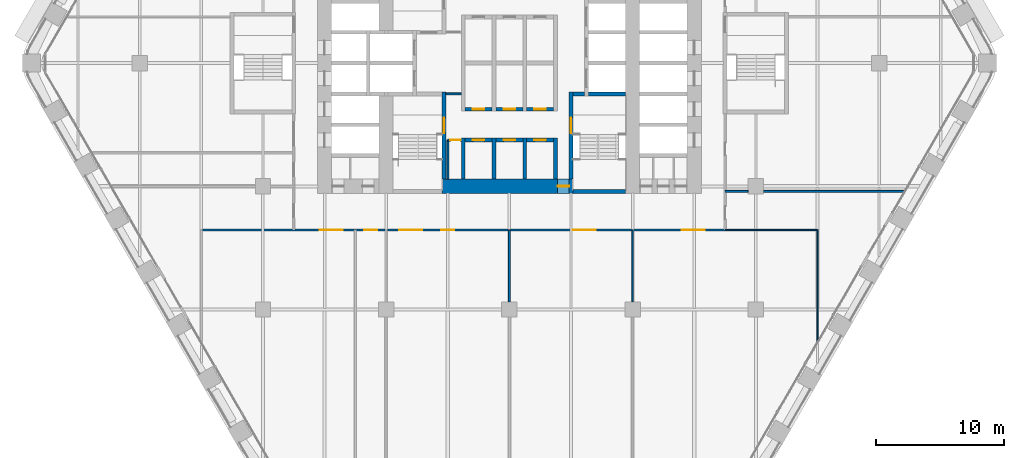
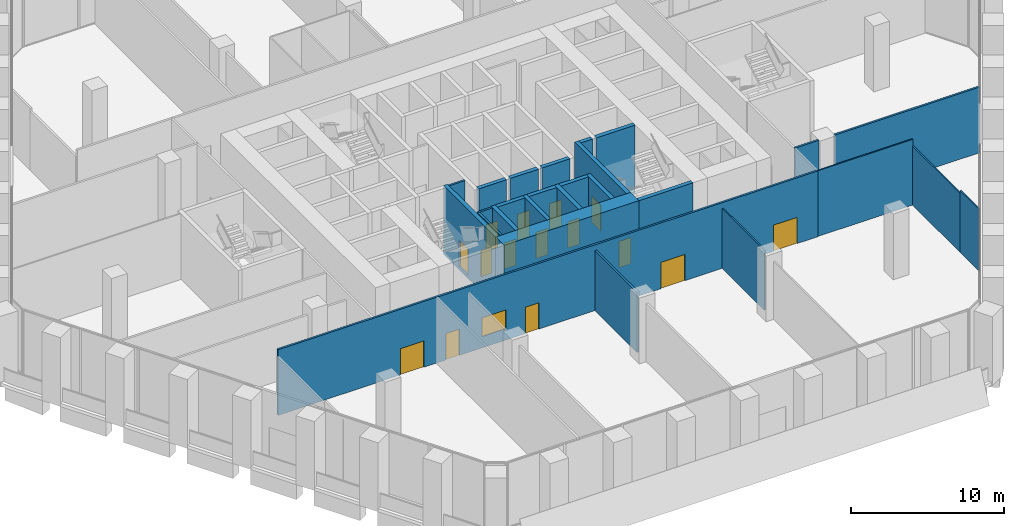
# One storey, part 18 of 27: 27 walls, 15 doors, 1 window, 16 openings.
"""IFC4 building model written with IfcOpenShell, lengths in metres."""

from ifc_helpers import new_model, si_unit, direction, frame, frame_2d, origin, place, context, subcontext, project, spatial, rectangle, extrude, material, layer, layer_set, type_object, element, fill, save


model = new_model("IFC4")

# Units and contexts
model_context = context("Model", 3, precision=1e-05, world=origin(), true_north=direction((0.0, 1.0)))
body_context = subcontext(model_context, "Body", "Model", "MODEL_VIEW")
ifc_project = project(units=[si_unit("LENGTHUNIT", "METRE"), si_unit("AREAUNIT", "SQUARE_METRE"), si_unit("VOLUMEUNIT", "CUBIC_METRE"), si_unit("PLANEANGLEUNIT", "RADIAN"), si_unit("MASSUNIT", "GRAM", prefix="KILO")], contexts=[model_context])

# Site, building, storey
site_placement = place(None, origin())
site = spatial("IfcSite", under=ifc_project, at=site_placement, CompositionType="ELEMENT")
building_placement = place(site_placement, origin())
building = spatial("IfcBuilding", under=site, at=building_placement, Name="Kolab Exchange Tower", CompositionType="ELEMENT")
storey_placement = place(building_placement, frame((0.0, 0.0, 49.89990234375)))
storey = spatial("IfcBuildingStorey", under=building, at=storey_placement, Name="L09", CompositionType="ELEMENT", Elevation=49.89990234375)

# Wall, opening, door
ifc_material_1 = material(Name="Concrete C80/95", Category="concrete")
ifc_layer_1 = layer(ifc_material_1, 1.10009765625)
ifc_layer_set_1 = layer_set([ifc_layer_1], Name="Concrete C80/95")
wall_type_1 = type_object("IfcWallType", Name="CORE WALL 1100 C80/95", PredefinedType="SHEAR", material=ifc_layer_set_1)
wall_1_placement = place(storey_placement, frame((-5.25, -9.60009765625, -0.25), z_axis=(0.0, 0.0, 1.0), x_axis=(1.0, 0.0, 0.0)))
wall_1 = element("IfcWall", 1, at=wall_1_placement, inside=storey, type_object=wall_type_1, Name="wall/L09/core/003", PredefinedType="SHEAR", context=body_context, shape_type="SweptSolid", body=[
    extrude(rectangle(XDim=10.199951171875, YDim=1.10009765625, at=frame_2d((5.10009765625, 0.0))), origin(), (0.0, 0.0, 1.0), 5.5),
])
opening_1_placement = place(wall_1_placement, frame((9.0, 0.0, 0.25)))
opening_1 = element("IfcOpeningElement", 2, at=opening_1_placement, cuts=wall_1, Name="Opening D6-116", PredefinedType="OPENING", context=body_context, shape_type="SweptSolid", body=[
    extrude(rectangle(XDim=0.89990234375, YDim=2.10009765625, at=frame_2d((0.449951171875, 1.050048828125))), frame((0.0, 0.56005859375, 0.0), z_axis=(0.0, -1.0, 0.0), x_axis=(1.0, 0.0, 0.0)), (0.0, 0.0, 1.0), 1.1201171875),
])
ifc_material_2 = material(Name="Steel S235", Category="steel")
door_type_1 = type_object("IfcDoorType", Name="CORE DOOR 900 EI 120", OperationType="SINGLE_SWING_LEFT", PredefinedType="DOOR", material=ifc_material_2)
door_1_placement = place(opening_1_placement, origin())
door_1 = element("IfcDoor", 3, at=door_1_placement, inside=storey, type_object=door_type_1, Name="Core lobby door", OperationType="SINGLE_SWING_LEFT", OverallHeight=2.10009765625, OverallWidth=0.89990234375, PredefinedType="DOOR", context=body_context, shape_type="SweptSolid", body=[
    extrude(rectangle(XDim=0.89990234375, YDim=2.10009765625, at=frame_2d((0.449951171875, 1.050048828125))), frame((0.0, 0.02490234375, 0.0), z_axis=(0.0, -1.0, 0.0), x_axis=(1.0, 0.0, 0.0)), (0.0, 0.0, 1.0), 0.050048828125),
])
fill(opening_1, door_1)

ifc_material_3 = material(Name="Concrete C50/60", Category="concrete")
ifc_layer_2 = layer(ifc_material_3, 0.300048828125)
ifc_layer_set_2 = layer_set([ifc_layer_2], Name="Concrete C50/60")
wall_type_2 = type_object("IfcWallType", Name="LIFT SHAFT WALL 300 C50/60", PredefinedType="STANDARD", material=ifc_layer_set_2)
wall_2_placement = place(storey_placement, frame((-3.449951171875, -6.0, -0.25), z_axis=(0.0, 0.0, 1.0), x_axis=(1.0, 0.0, 0.0)))
wall_2 = element("IfcWall", 4, at=wall_2_placement, inside=storey, type_object=wall_type_2, Name="wall/L09/core/007", PredefinedType="STANDARD", context=body_context, shape_type="SweptSolid", body=[
    extrude(rectangle(XDim=2.099853515625, YDim=0.300048828125, at=frame_2d((1.0498046875, 0.0))), origin(), (0.0, 0.0, 1.0), 5.5),
])
opening_2_placement = place(wall_2_placement, frame((0.60009765625, 0.0, 0.25)))
opening_2 = element("IfcOpeningElement", 5, at=opening_2_placement, cuts=wall_2, Name="Opening D6-095", PredefinedType="OPENING", context=body_context, shape_type="SweptSolid", body=[
    extrude(rectangle(XDim=0.89990234375, YDim=2.10009765625, at=frame_2d((0.449951171875, 1.050048828125))), frame((0.0, 0.16015625, 0.0), z_axis=(0.0, -1.0, 0.0), x_axis=(1.0, 0.0, 0.0)), (0.0, 0.0, 1.0), 0.320068359375),
])
door_2_placement = place(opening_2_placement, frame((0.89990234375, 0.0, 0.0), z_axis=(0.0, 0.0, 1.0), x_axis=(-1.0, 0.0, 0.0)))
door_2 = element("IfcDoor", 6, at=door_2_placement, inside=storey, type_object=door_type_1, Name="Service room door", OperationType="SINGLE_SWING_LEFT", OverallHeight=2.10009765625, OverallWidth=0.89990234375, PredefinedType="DOOR", context=body_context, shape_type="SweptSolid", body=[
    extrude(rectangle(XDim=0.89990234375, YDim=2.10009765625, at=frame_2d((0.449951171875, 1.050048828125))), frame((0.0, 0.02490234375, 0.0), z_axis=(0.0, -1.0, 0.0), x_axis=(1.0, 0.0, 0.0)), (0.0, 0.0, 1.0), 0.050048828125),
])
fill(opening_2, door_2)

wall_3_placement = place(storey_placement, frame((-1.050048828125, -6.0, -0.25), z_axis=(0.0, 0.0, 1.0), x_axis=(1.0, 0.0, 0.0)))
wall_3 = element("IfcWall", 7, at=wall_3_placement, inside=storey, type_object=wall_type_2, Name="wall/L09/core/008", PredefinedType="STANDARD", context=body_context, shape_type="SweptSolid", body=[
    extrude(rectangle(XDim=2.10009765625, YDim=0.300048828125, at=frame_2d((1.050048828125, 0.0))), origin(), (0.0, 0.0, 1.0), 5.5),
])
opening_3_placement = place(wall_3_placement, frame((0.60009765625, 0.0, 0.25)))
opening_3 = element("IfcOpeningElement", 8, at=opening_3_placement, cuts=wall_3, Name="Opening D6-115", PredefinedType="OPENING", context=body_context, shape_type="SweptSolid", body=[
    extrude(rectangle(XDim=0.89990234375, YDim=2.10009765625, at=frame_2d((0.449951171875, 1.050048828125))), frame((0.0, 0.16015625, 0.0), z_axis=(0.0, -1.0, 0.0), x_axis=(1.0, 0.0, 0.0)), (0.0, 0.0, 1.0), 0.320068359375),
])
door_3_placement = place(opening_3_placement, frame((0.89990234375, 0.0, 0.0), z_axis=(0.0, 0.0, 1.0), x_axis=(-1.0, 0.0, 0.0)))
door_3 = element("IfcDoor", 9, at=door_3_placement, inside=storey, type_object=door_type_1, Name="Service room door", OperationType="SINGLE_SWING_RIGHT", OverallHeight=2.10009765625, OverallWidth=0.89990234375, PredefinedType="DOOR", context=body_context, shape_type="SweptSolid", body=[
    extrude(rectangle(XDim=0.89990234375, YDim=2.10009765625, at=frame_2d((0.449951171875, 1.050048828125))), frame((0.0, 0.02490234375, 0.0), z_axis=(0.0, -1.0, 0.0), x_axis=(1.0, 0.0, 0.0)), (0.0, 0.0, 1.0), 0.050048828125),
])
fill(opening_3, door_3)

wall_4_placement = place(storey_placement, frame((1.35009765625, -6.0, -0.25), z_axis=(0.0, 0.0, 1.0), x_axis=(1.0, 0.0, 0.0)))
wall_4 = element("IfcWall", 10, at=wall_4_placement, inside=storey, type_object=wall_type_2, Name="wall/L09/core/009", PredefinedType="STANDARD", context=body_context, shape_type="SweptSolid", body=[
    extrude(rectangle(XDim=2.099853515625, YDim=0.300048828125, at=frame_2d((1.0498046875, 0.0))), origin(), (0.0, 0.0, 1.0), 5.5),
])
opening_4_placement = place(wall_4_placement, frame((0.60009765625, 0.0, 0.25)))
opening_4 = element("IfcOpeningElement", 11, at=opening_4_placement, cuts=wall_4, Name="Opening D6-093", PredefinedType="OPENING", context=body_context, shape_type="SweptSolid", body=[
    extrude(rectangle(XDim=0.89990234375, YDim=2.10009765625, at=frame_2d((0.449951171875, 1.050048828125))), frame((0.0, 0.16015625, 0.0), z_axis=(0.0, -1.0, 0.0), x_axis=(1.0, 0.0, 0.0)), (0.0, 0.0, 1.0), 0.320068359375),
])
door_4_placement = place(opening_4_placement, frame((0.89990234375, 0.0, 0.0), z_axis=(0.0, 0.0, 1.0), x_axis=(-1.0, 0.0, 0.0)))
door_4 = element("IfcDoor", 12, at=door_4_placement, inside=storey, type_object=door_type_1, Name="Service room door", OperationType="SINGLE_SWING_RIGHT", OverallHeight=2.10009765625, OverallWidth=0.89990234375, PredefinedType="DOOR", context=body_context, shape_type="SweptSolid", body=[
    extrude(rectangle(XDim=0.89990234375, YDim=2.10009765625, at=frame_2d((0.449951171875, 1.050048828125))), frame((0.0, 0.02490234375, 0.0), z_axis=(0.0, -1.0, 0.0), x_axis=(1.0, 0.0, 0.0)), (0.0, 0.0, 1.0), 0.050048828125),
])
fill(opening_4, door_4)

wall_5_placement = place(storey_placement, frame((-3.449951171875, -3.60009765625, -0.25), z_axis=(0.0, 0.0, 1.0), x_axis=(1.0, 0.0, 0.0)))
wall_5 = element("IfcWall", 13, at=wall_5_placement, inside=storey, type_object=wall_type_2, Name="wall/L09/core/014", PredefinedType="STANDARD", context=body_context, shape_type="SweptSolid", body=[
    extrude(rectangle(XDim=2.099853515625, YDim=0.300048828125, at=frame_2d((1.0498046875, 0.0))), origin(), (0.0, 0.0, 1.0), 5.5),
])
opening_5_placement = place(wall_5_placement, frame((0.60009765625, 0.0, 0.25)))
opening_5 = element("IfcOpeningElement", 14, at=opening_5_placement, cuts=wall_5, Name="Opening D6-092", PredefinedType="OPENING", context=body_context, shape_type="SweptSolid", body=[
    extrude(rectangle(XDim=0.89990234375, YDim=2.10009765625, at=frame_2d((0.449951171875, 1.050048828125))), frame((0.0, 0.16015625, 0.0), z_axis=(0.0, -1.0, 0.0), x_axis=(1.0, 0.0, 0.0)), (0.0, 0.0, 1.0), 0.320068359375),
])
door_5_placement = place(opening_5_placement, origin())
door_5 = element("IfcDoor", 15, at=door_5_placement, inside=storey, type_object=door_type_1, Name="Service room door", OperationType="SINGLE_SWING_LEFT", OverallHeight=2.10009765625, OverallWidth=0.89990234375, PredefinedType="DOOR", context=body_context, shape_type="SweptSolid", body=[
    extrude(rectangle(XDim=0.89990234375, YDim=2.10009765625, at=frame_2d((0.449951171875, 1.050048828125))), frame((0.0, 0.02490234375, 0.0), z_axis=(0.0, -1.0, 0.0), x_axis=(1.0, 0.0, 0.0)), (0.0, 0.0, 1.0), 0.050048828125),
])
fill(opening_5, door_5)

wall_6_placement = place(storey_placement, frame((-1.050048828125, -3.60009765625, -0.25), z_axis=(0.0, 0.0, 1.0), x_axis=(1.0, 0.0, 0.0)))
wall_6 = element("IfcWall", 16, at=wall_6_placement, inside=storey, type_object=wall_type_2, Name="wall/L09/core/015", PredefinedType="STANDARD", context=body_context, shape_type="SweptSolid", body=[
    extrude(rectangle(XDim=2.10009765625, YDim=0.300048828125, at=frame_2d((1.050048828125, 0.0))), origin(), (0.0, 0.0, 1.0), 5.5),
])
opening_6_placement = place(wall_6_placement, frame((0.60009765625, 0.0, 0.25)))
opening_6 = element("IfcOpeningElement", 17, at=opening_6_placement, cuts=wall_6, Name="Opening D6-091", PredefinedType="OPENING", context=body_context, shape_type="SweptSolid", body=[
    extrude(rectangle(XDim=0.89990234375, YDim=2.10009765625, at=frame_2d((0.449951171875, 1.050048828125))), frame((0.0, 0.16015625, 0.0), z_axis=(0.0, -1.0, 0.0), x_axis=(1.0, 0.0, 0.0)), (0.0, 0.0, 1.0), 0.320068359375),
])
door_6_placement = place(opening_6_placement, origin())
door_6 = element("IfcDoor", 18, at=door_6_placement, inside=storey, type_object=door_type_1, Name="Service room door", OperationType="SINGLE_SWING_LEFT", OverallHeight=2.10009765625, OverallWidth=0.89990234375, PredefinedType="DOOR", context=body_context, shape_type="SweptSolid", body=[
    extrude(rectangle(XDim=0.89990234375, YDim=2.10009765625, at=frame_2d((0.449951171875, 1.050048828125))), frame((0.0, 0.02490234375, 0.0), z_axis=(0.0, -1.0, 0.0), x_axis=(1.0, 0.0, 0.0)), (0.0, 0.0, 1.0), 0.050048828125),
])
fill(opening_6, door_6)

wall_7_placement = place(storey_placement, frame((1.35009765625, -3.60009765625, -0.25), z_axis=(0.0, 0.0, 1.0), x_axis=(1.0, 0.0, 0.0)))
wall_7 = element("IfcWall", 19, at=wall_7_placement, inside=storey, type_object=wall_type_2, Name="wall/L09/core/016", PredefinedType="STANDARD", context=body_context, shape_type="SweptSolid", body=[
    extrude(rectangle(XDim=2.099853515625, YDim=0.300048828125, at=frame_2d((1.0498046875, 0.0))), origin(), (0.0, 0.0, 1.0), 5.5),
])
opening_7_placement = place(wall_7_placement, frame((0.60009765625, 0.0, 0.25)))
opening_7 = element("IfcOpeningElement", 20, at=opening_7_placement, cuts=wall_7, Name="Opening D6-090", PredefinedType="OPENING", context=body_context, shape_type="SweptSolid", body=[
    extrude(rectangle(XDim=0.89990234375, YDim=2.10009765625, at=frame_2d((0.449951171875, 1.050048828125))), frame((0.0, 0.16015625, 0.0), z_axis=(0.0, -1.0, 0.0), x_axis=(1.0, 0.0, 0.0)), (0.0, 0.0, 1.0), 0.320068359375),
])
door_7_placement = place(opening_7_placement, origin())
door_7 = element("IfcDoor", 21, at=door_7_placement, inside=storey, type_object=door_type_1, Name="Service room door", OperationType="SINGLE_SWING_RIGHT", OverallHeight=2.10009765625, OverallWidth=0.89990234375, PredefinedType="DOOR", context=body_context, shape_type="SweptSolid", body=[
    extrude(rectangle(XDim=0.89990234375, YDim=2.10009765625, at=frame_2d((0.449951171875, 1.050048828125))), frame((0.0, 0.02490234375, 0.0), z_axis=(0.0, -1.0, 0.0), x_axis=(1.0, 0.0, 0.0)), (0.0, 0.0, 1.0), 0.050048828125),
])
fill(opening_7, door_7)

# Walls
for number, where, z_axis, x_axis, name in (
    (22, (-3.60009765625, -9.050048828125, -0.25), (0.0, 0.0, 1.0), (0.0, 1.0, 0.0), "wall/L09/core/066"),
    (23, (-1.199951171875, -9.050048828125, -0.25), (0.0, 0.0, 1.0), (0.0, 1.0, 0.0), "wall/L09/core/069"),
    (24, (1.199951171875, -9.050048828125, -0.25), (0.0, 0.0, 1.0), (0.0, 1.0, 0.0), "wall/L09/core/072"),
    (25, (3.60009765625, -9.050048828125, -0.25), (0.0, 0.0, 1.0), (0.0, 1.0, 0.0), "wall/L09/core/075"),
):
    element("IfcWall", number, at=place(storey_placement, frame(where, z_axis=z_axis, x_axis=x_axis)), inside=storey, type_object=wall_type_2, Name=name, PredefinedType="STANDARD", context=body_context, shape_type="SweptSolid", body=[
        extrude(rectangle(XDim=3.199951171875, YDim=0.300048828125, at=frame_2d((1.60009765625, 0.0))), origin(), (0.0, 0.0, 1.0), 5.5),
    ])
ifc_material_4 = material(Name="Gypsum board", Category="gypsum")
ifc_layer_3 = layer(ifc_material_4, 0.10009765625)
ifc_layer_set_3 = layer_set([ifc_layer_3], Name="Gypsum board")
wall_type_3 = type_object("IfcWallType", Name="PARTITION 100", PredefinedType="PARTITIONING", material=ifc_layer_set_3)
wall_8_placement = place(storey_placement, frame((24.0, -19.27392578125, 0.0), z_axis=(0.0, 0.0, 1.0), x_axis=(0.0, 1.0, 0.0)))
element("IfcWall", 26, at=wall_8_placement, inside=storey, type_object=wall_type_3, Name="Partition 000", PredefinedType="PARTITIONING", context=body_context, shape_type="SweptSolid", body=[
    extrude(rectangle(XDim=6.27392578125, YDim=0.10009765625, at=frame_2d((3.136962890625, 0.0))), origin(), (0.0, 0.0, 1.0), 4.717041015625),
])
wall_9_placement = place(storey_placement, frame((24.0, -21.701416015625, 0.0), z_axis=(0.0, 0.0, 1.0), x_axis=(0.0, 1.0, 0.0)))
element("IfcWall", 27, at=wall_9_placement, inside=storey, type_object=wall_type_3, Name="Partition 000", PredefinedType="PARTITIONING", context=body_context, shape_type="SweptSolid", body=[
    extrude(rectangle(XDim=2.427490234375, YDim=0.10009765625, at=frame_2d((1.2138671875, 0.0))), origin(), (0.0, 0.0, 1.0), 4.940185546875),
])
wall_10_placement = place(storey_placement, frame((9.60009765625, -18.60009765625, 0.0), z_axis=(0.0, 0.0, 1.0), x_axis=(0.0, 1.0, 0.0)))
element("IfcWall", 28, at=wall_10_placement, inside=storey, type_object=wall_type_3, Name="Partition 009", PredefinedType="PARTITIONING", context=body_context, shape_type="SweptSolid", body=[
    extrude(rectangle(XDim=5.60009765625, YDim=0.10009765625, at=frame_2d((2.800048828125, 0.0))), origin(), (0.0, 0.0, 1.0), 4.793212890625),
])
wall_11_placement = place(storey_placement, frame((16.800048828125, -13.0, 0.0), z_axis=(0.0, 0.0, 1.0), x_axis=(1.0, 0.0, 0.0)))
element("IfcWall", 29, at=wall_11_placement, inside=storey, type_object=wall_type_3, Name="Partition 032", PredefinedType="PARTITIONING", context=body_context, shape_type="SweptSolid", body=[
    extrude(rectangle(XDim=7.199951171875, YDim=0.10009765625, at=frame_2d((3.60009765625, 0.0))), origin(), (0.0, 0.0, 1.0), 5.25),
])
ifc_layer_4 = layer(ifc_material_4, 0.14990234375)
ifc_layer_set_4 = layer_set([ifc_layer_4], Name="Gypsum board")
wall_type_4 = type_object("IfcWallType", Name="PARTITION 150 FIRE-RATED", PredefinedType="PARTITIONING", material=ifc_layer_set_4)
wall_12_placement = place(storey_placement, frame((0.0, -18.60009765625, 0.0), z_axis=(0.0, 0.0, 1.0), x_axis=(0.0, 1.0, 0.0)))
element("IfcWall", 30, at=wall_12_placement, inside=storey, type_object=wall_type_4, Name="Partition 013", PredefinedType="PARTITIONING", context=body_context, shape_type="SweptSolid", body=[
    extrude(rectangle(XDim=5.60009765625, YDim=0.14990234375, at=frame_2d((2.800048828125, 0.0))), origin(), (0.0, 0.0, 1.0), 4.793212890625),
])
wall_13_placement = place(storey_placement, frame((-4.800048828125, -9.050048828125, 0.0), z_axis=(0.0, 0.0, 1.0), x_axis=(0.0, 1.0, 0.0)))
element("IfcWall", 31, at=wall_13_placement, inside=storey, type_object=wall_type_4, Name="Partition 018", PredefinedType="PARTITIONING", context=body_context, shape_type="SweptSolid", body=[
    extrude(rectangle(XDim=3.050048828125, YDim=0.14990234375, at=frame_2d((1.52490234375, 0.0))), origin(), (0.0, 0.0, 1.0), 5.25),
])

# Wall, openings, doors, window
wall_14_placement = place(storey_placement, frame((-24.0, -13.0, 0.0), z_axis=(0.0, 0.0, 1.0), x_axis=(1.0, 0.0, 0.0)))
wall_14 = element("IfcWall", 32, at=wall_14_placement, inside=storey, type_object=wall_type_4, Name="Partition 033", PredefinedType="PARTITIONING", context=body_context, shape_type="SweptSolid", body=[
    extrude(rectangle(XDim=40.800048828125, YDim=0.14990234375, at=frame_2d((20.39990234375, 0.0))), origin(), (0.0, 0.0, 1.0), 5.25),
])
opening_8_placement = place(wall_14_placement, frame((9.22509765625, 0.0, 0.0)))
opening_8 = element("IfcOpeningElement", 33, at=opening_8_placement, cuts=wall_14, Name="Opening D2-023", PredefinedType="OPENING", context=body_context, shape_type="SweptSolid", body=[
    extrude(rectangle(XDim=1.800048828125, YDim=2.10009765625, at=frame_2d((0.89990234375, 1.050048828125))), frame((0.0, 0.0849609375, 0.0), z_axis=(0.0, -1.0, 0.0), x_axis=(1.0, 0.0, 0.0)), (0.0, 0.0, 1.0), 0.169921875),
])
opening_9_placement = place(wall_14_placement, frame((12.699951171875, 0.0, 0.0)))
opening_9 = element("IfcOpeningElement", 34, at=opening_9_placement, cuts=wall_14, Name="Opening D1-113", PredefinedType="OPENING", context=body_context, shape_type="SweptSolid", body=[
    extrude(rectangle(XDim=1.0, YDim=2.10009765625, at=frame_2d((0.5, 1.050048828125))), frame((0.0, 0.0849609375, 0.0), z_axis=(0.0, -1.0, 0.0), x_axis=(1.0, 0.0, 0.0)), (0.0, 0.0, 1.0), 0.169921875),
])
opening_10_placement = place(wall_14_placement, frame((18.699951171875, 0.0, 0.0)))
opening_10 = element("IfcOpeningElement", 35, at=opening_10_placement, cuts=wall_14, Name="Opening D1-114", PredefinedType="OPENING", context=body_context, shape_type="SweptSolid", body=[
    extrude(rectangle(XDim=1.0, YDim=2.10009765625, at=frame_2d((0.5, 1.050048828125))), frame((0.0, 0.0849609375, 0.0), z_axis=(0.0, -1.0, 0.0), x_axis=(1.0, 0.0, 0.0)), (0.0, 0.0, 1.0), 0.169921875),
])
opening_11_placement = place(wall_14_placement, frame((28.93505859375, 0.0, 0.0)))
opening_11 = element("IfcOpeningElement", 36, at=opening_11_placement, cuts=wall_14, Name="Opening D2-028", PredefinedType="OPENING", context=body_context, shape_type="SweptSolid", body=[
    extrude(rectangle(XDim=1.800048828125, YDim=2.10009765625, at=frame_2d((0.89990234375, 1.050048828125))), frame((0.0, 0.0849609375, 0.0), z_axis=(0.0, -1.0, 0.0), x_axis=(1.0, 0.0, 0.0)), (0.0, 0.0, 1.0), 0.169921875),
])
opening_12_placement = place(wall_14_placement, frame((37.425048828125, 0.0, 0.0)))
opening_12 = element("IfcOpeningElement", 37, at=opening_12_placement, cuts=wall_14, Name="Opening D2-029", PredefinedType="OPENING", context=body_context, shape_type="SweptSolid", body=[
    extrude(rectangle(XDim=1.800048828125, YDim=2.10009765625, at=frame_2d((0.89990234375, 1.050048828125))), frame((0.0, 0.0849609375, 0.0), z_axis=(0.0, -1.0, 0.0), x_axis=(1.0, 0.0, 0.0)), (0.0, 0.0, 1.0), 0.169921875),
])
opening_13_placement = place(wall_14_placement, frame((15.39990234375, 0.0, 0.89990234375)))
opening_13 = element("IfcOpeningElement", 38, at=opening_13_placement, cuts=wall_14, Name="Opening W1-002", PredefinedType="OPENING", context=body_context, shape_type="SweptSolid", body=[
    extrude(rectangle(XDim=1.800048828125, YDim=1.5, at=frame_2d((0.89990234375, 0.75))), frame((0.0, 0.0849609375, 0.0), z_axis=(0.0, -1.0, 0.0), x_axis=(1.0, 0.0, 0.0)), (0.0, 0.0, 1.0), 0.169921875),
])
door_type_2 = type_object("IfcDoorType", Name="DOUBLE DOOR 1800 FD60", OperationType="DOUBLE_DOOR_SINGLE_SWING", PredefinedType="DOOR", material=ifc_material_2)
door_8_placement = place(opening_8_placement, frame((1.800048828125, 0.0, 0.0), z_axis=(0.0, 0.0, 1.0), x_axis=(-1.0, 0.0, 0.0)))
door_8 = element("IfcDoor", 39, at=door_8_placement, inside=storey, type_object=door_type_2, Name="Door L09-056", OperationType="SINGLE_SWING_RIGHT", OverallHeight=2.10009765625, OverallWidth=1.800048828125, PredefinedType="DOOR", context=body_context, shape_type="SweptSolid", body=[
    extrude(rectangle(XDim=1.800048828125, YDim=2.10009765625, at=frame_2d((0.89990234375, 1.050048828125))), frame((0.0, 0.02490234375, 0.0), z_axis=(0.0, -1.0, 0.0), x_axis=(1.0, 0.0, 0.0)), (0.0, 0.0, 1.0), 0.050048828125),
])
fill(opening_8, door_8)
door_9_placement = place(opening_11_placement, frame((1.800048828125, 0.0, 0.0), z_axis=(0.0, 0.0, 1.0), x_axis=(-1.0, 0.0, 0.0)))
door_9 = element("IfcDoor", 40, at=door_9_placement, inside=storey, type_object=door_type_2, Name="Door L09-059", OperationType="SINGLE_SWING_RIGHT", OverallHeight=2.10009765625, OverallWidth=1.800048828125, PredefinedType="DOOR", context=body_context, shape_type="SweptSolid", body=[
    extrude(rectangle(XDim=1.800048828125, YDim=2.10009765625, at=frame_2d((0.89990234375, 1.050048828125))), frame((0.0, 0.02490234375, 0.0), z_axis=(0.0, -1.0, 0.0), x_axis=(1.0, 0.0, 0.0)), (0.0, 0.0, 1.0), 0.050048828125),
])
fill(opening_11, door_9)
door_10_placement = place(opening_12_placement, frame((1.800048828125, 0.0, 0.0), z_axis=(0.0, 0.0, 1.0), x_axis=(-1.0, 0.0, 0.0)))
door_10 = element("IfcDoor", 41, at=door_10_placement, inside=storey, type_object=door_type_2, Name="Door L09-060", OperationType="SINGLE_SWING_LEFT", OverallHeight=2.10009765625, OverallWidth=1.800048828125, PredefinedType="DOOR", context=body_context, shape_type="SweptSolid", body=[
    extrude(rectangle(XDim=1.800048828125, YDim=2.10009765625, at=frame_2d((0.89990234375, 1.050048828125))), frame((0.0, 0.02490234375, 0.0), z_axis=(0.0, -1.0, 0.0), x_axis=(1.0, 0.0, 0.0)), (0.0, 0.0, 1.0), 0.050048828125),
])
fill(opening_12, door_10)
door_type_3 = type_object("IfcDoorType", Name="FLUSH DOOR 1000 FD60", OperationType="SINGLE_SWING_LEFT", PredefinedType="DOOR", material=ifc_material_2)
door_11_placement = place(opening_9_placement, frame((1.0, 0.0, 0.0), z_axis=(0.0, 0.0, 1.0), x_axis=(-1.0, 0.0, 0.0)))
door_11 = element("IfcDoor", 42, at=door_11_placement, inside=storey, type_object=door_type_3, Name="Door L09-057", OperationType="SINGLE_SWING_LEFT", OverallHeight=2.10009765625, OverallWidth=1.0, PredefinedType="DOOR", context=body_context, shape_type="SweptSolid", body=[
    extrude(rectangle(XDim=1.0, YDim=2.10009765625, at=frame_2d((0.5, 1.050048828125))), frame((0.0, 0.02490234375, 0.0), z_axis=(0.0, -1.0, 0.0), x_axis=(1.0, 0.0, 0.0)), (0.0, 0.0, 1.0), 0.050048828125),
])
fill(opening_9, door_11)
door_12_placement = place(opening_10_placement, frame((1.0, 0.0, 0.0), z_axis=(0.0, 0.0, 1.0), x_axis=(-1.0, 0.0, 0.0)))
door_12 = element("IfcDoor", 43, at=door_12_placement, inside=storey, type_object=door_type_3, Name="Door L09-058", OperationType="SINGLE_SWING_LEFT", OverallHeight=2.10009765625, OverallWidth=1.0, PredefinedType="DOOR", context=body_context, shape_type="SweptSolid", body=[
    extrude(rectangle(XDim=1.0, YDim=2.10009765625, at=frame_2d((0.5, 1.050048828125))), frame((0.0, 0.02490234375, 0.0), z_axis=(0.0, -1.0, 0.0), x_axis=(1.0, 0.0, 0.0)), (0.0, 0.0, 1.0), 0.050048828125),
])
fill(opening_10, door_12)
ifc_material_5 = material(Name="Fire-rated glazing", Category="glass")
window_type = type_object("IfcWindowType", Name="OBSERVATION WINDOW 1800 X 1500 EI 60", PartitioningType="SINGLE_PANEL", PredefinedType="WINDOW", material=ifc_material_5)
window_placement = place(opening_13_placement, origin())
window = element("IfcWindow", 44, at=window_placement, inside=storey, type_object=window_type, Name="Viewing window L09-1", OverallHeight=1.5, OverallWidth=1.800048828125, PartitioningType="SINGLE_PANEL", PredefinedType="WINDOW", context=body_context, shape_type="SweptSolid", body=[
    extrude(rectangle(XDim=1.800048828125, YDim=1.5, at=frame_2d((0.89990234375, 0.75))), frame((0.0, 0.030029296875, 0.0), z_axis=(0.0, -1.0, 0.0), x_axis=(1.0, 0.0, 0.0)), (0.0, 0.0, 1.0), 0.06005859375),
])
fill(opening_13, window)

# Walls
wall_15_placement = place(storey_placement, frame((16.800048828125, -10.0, 0.0), z_axis=(0.0, 0.0, 1.0), x_axis=(1.0, 0.0, 0.0)))
element("IfcWall", 45, at=wall_15_placement, inside=storey, type_object=wall_type_4, Name="Partition 034", PredefinedType="PARTITIONING", context=body_context, shape_type="SweptSolid", body=[
    extrude(rectangle(XDim=1.800048828125, YDim=0.14990234375, at=frame_2d((0.89990234375, 0.0))), origin(), (0.0, 0.0, 1.0), 5.25),
])
wall_16_placement = place(storey_placement, frame((19.800048828125, -10.0, 0.0), z_axis=(0.0, 0.0, 1.0), x_axis=(1.0, 0.0, 0.0)))
element("IfcWall", 46, at=wall_16_placement, inside=storey, type_object=wall_type_4, Name="Partition 035", PredefinedType="PARTITIONING", context=body_context, shape_type="SweptSolid", body=[
    extrude(rectangle(XDim=10.955810546875, YDim=0.14990234375, at=frame_2d((5.47802734375, 0.0))), origin(), (0.0, 0.0, 1.0), 5.25),
])

# Wall, opening, door
wall_17_placement = place(storey_placement, frame((-4.800048828125, -6.0, 0.0), z_axis=(0.0, 0.0, 1.0), x_axis=(1.0, 0.0, 0.0)))
wall_17 = element("IfcWall", 47, at=wall_17_placement, inside=storey, type_object=wall_type_4, Name="Partition 039", PredefinedType="PARTITIONING", context=body_context, shape_type="SweptSolid", body=[
    extrude(rectangle(XDim=1.050048828125, YDim=0.14990234375, at=frame_2d((0.52490234375, 0.0))), origin(), (0.0, 0.0, 1.0), 5.25),
])
opening_14_placement = place(wall_17_placement, frame((0.199951171875, 0.0, 0.0)))
opening_14 = element("IfcOpeningElement", 48, at=opening_14_placement, cuts=wall_17, Name="Opening D7-011", PredefinedType="OPENING", context=body_context, shape_type="SweptSolid", body=[
    extrude(rectangle(XDim=0.800048828125, YDim=2.10009765625, at=frame_2d((0.39990234375, 1.050048828125))), frame((0.0, 0.0849609375, 0.0), z_axis=(0.0, -1.0, 0.0), x_axis=(1.0, 0.0, 0.0)), (0.0, 0.0, 1.0), 0.169921875),
])
door_type_4 = type_object("IfcDoorType", Name="FLUSH DOOR 800 FD60", OperationType="SINGLE_SWING_LEFT", PredefinedType="DOOR", material=ifc_material_2)
door_13_placement = place(opening_14_placement, frame((0.800048828125, 0.0, 0.0), z_axis=(0.0, 0.0, 1.0), x_axis=(-1.0, 0.0, 0.0)))
door_13 = element("IfcDoor", 49, at=door_13_placement, inside=storey, type_object=door_type_4, Name="Door L09-044", OperationType="SINGLE_SWING_RIGHT", OverallHeight=2.10009765625, OverallWidth=0.800048828125, PredefinedType="DOOR", context=body_context, shape_type="SweptSolid", body=[
    extrude(rectangle(XDim=0.800048828125, YDim=2.10009765625, at=frame_2d((0.39990234375, 1.050048828125))), frame((0.0, 0.02490234375, 0.0), z_axis=(0.0, -1.0, 0.0), x_axis=(1.0, 0.0, 0.0)), (0.0, 0.0, 1.0), 0.050048828125),
])
fill(opening_14, door_13)

# Walls
wall_18_placement = place(storey_placement, frame((-4.949951171875, -2.39990234375, 0.0), z_axis=(0.0, 0.0, 1.0), x_axis=(1.0, 0.0, 0.0)))
element("IfcWall", 50, at=wall_18_placement, inside=storey, type_object=wall_type_4, Name="Fire partition", PredefinedType="PARTITIONING", context=body_context, shape_type="SweptSolid", body=[
    extrude(rectangle(XDim=1.199951171875, YDim=0.14990234375, at=frame_2d((0.60009765625, 0.0))), origin(), (0.0, 0.0, 1.0), 5.25),
])
ifc_layer_5 = layer(ifc_material_3, 0.300048828125)
ifc_layer_set_5 = layer_set([ifc_layer_5], Name="Concrete C50/60")
wall_type_5 = type_object("IfcWallType", Name="STAIR ENCLOSURE WALL 300 C50/60", PredefinedType="STANDARD", material=ifc_layer_set_5)
wall_19_placement = place(storey_placement, frame((4.949951171875, -10.0, -0.25), z_axis=(0.0, 0.0, 1.0), x_axis=(1.0, 0.0, 0.0)))
element("IfcWall", 51, at=wall_19_placement, inside=storey, type_object=wall_type_5, Name="wall/L09/core/001", PredefinedType="STANDARD", context=body_context, shape_type="SweptSolid", body=[
    extrude(rectangle(XDim=4.10009765625, YDim=0.300048828125, at=frame_2d((2.050048828125, 0.0))), origin(), (0.0, 0.0, 1.0), 5.5),
])
wall_20_placement = place(storey_placement, frame((4.949951171875, -2.39990234375, -0.25), z_axis=(0.0, 0.0, 1.0), x_axis=(1.0, 0.0, 0.0)))
element("IfcWall", 52, at=wall_20_placement, inside=storey, type_object=wall_type_5, Name="wall/L09/core/021", PredefinedType="STANDARD", context=body_context, shape_type="SweptSolid", body=[
    extrude(rectangle(XDim=0.900146484375, YDim=0.300048828125, at=frame_2d((0.4501953125, 0.0))), origin(), (0.0, 0.0, 1.0), 5.5),
])
wall_21_placement = place(storey_placement, frame((6.14990234375, -2.39990234375, -0.25), z_axis=(0.0, 0.0, 1.0), x_axis=(1.0, 0.0, 0.0)))
element("IfcWall", 53, at=wall_21_placement, inside=storey, type_object=wall_type_5, Name="wall/L09/core/022", PredefinedType="STANDARD", context=body_context, shape_type="SweptSolid", body=[
    extrude(rectangle(XDim=2.900146484375, YDim=0.300048828125, at=frame_2d((1.4501953125, 0.0))), origin(), (0.0, 0.0, 1.0), 5.5),
])

# Wall, opening, door
wall_22_placement = place(storey_placement, frame((-5.10009765625, -9.050048828125, -0.25), z_axis=(0.0, 0.0, 1.0), x_axis=(0.0, 1.0, 0.0)))
wall_22 = element("IfcWall", 54, at=wall_22_placement, inside=storey, type_object=wall_type_5, Name="wall/L09/core/064", PredefinedType="STANDARD", context=body_context, shape_type="SweptSolid", body=[
    extrude(rectangle(XDim=6.800048828125, YDim=0.300048828125, at=frame_2d((3.39990234375, 0.0))), origin(), (0.0, 0.0, 1.0), 5.5),
])
opening_15_placement = place(wall_22_placement, frame((3.60009765625, 0.0, 0.25)))
opening_15 = element("IfcOpeningElement", 55, at=opening_15_placement, cuts=wall_22, Name="Opening D4-022", PredefinedType="OPENING", context=body_context, shape_type="SweptSolid", body=[
    extrude(rectangle(XDim=1.199951171875, YDim=2.10009765625, at=frame_2d((0.60009765625, 1.050048828125))), frame((0.0, 0.16015625, 0.0), z_axis=(0.0, -1.0, 0.0), x_axis=(1.0, 0.0, 0.0)), (0.0, 0.0, 1.0), 0.320068359375),
])
door_type_5 = type_object("IfcDoorType", Name="STAIR DOOR 1200 EI 120", OperationType="SINGLE_SWING_LEFT", PredefinedType="DOOR", material=ifc_material_2)
door_14_placement = place(opening_15_placement, origin())
door_14 = element("IfcDoor", 56, at=door_14_placement, inside=storey, type_object=door_type_5, Name="Stair 3 door", OperationType="SINGLE_SWING_RIGHT", OverallHeight=2.10009765625, OverallWidth=1.199951171875, PredefinedType="DOOR", context=body_context, shape_type="SweptSolid", body=[
    extrude(rectangle(XDim=1.199951171875, YDim=2.10009765625, at=frame_2d((0.60009765625, 1.050048828125))), frame((0.0, 0.02490234375, 0.0), z_axis=(0.0, -1.0, 0.0), x_axis=(1.0, 0.0, 0.0)), (0.0, 0.0, 1.0), 0.050048828125),
])
fill(opening_15, door_14)

wall_23_placement = place(storey_placement, frame((4.800048828125, -9.050048828125, -0.25), z_axis=(0.0, 0.0, 1.0), x_axis=(0.0, 1.0, 0.0)))
wall_23 = element("IfcWall", 57, at=wall_23_placement, inside=storey, type_object=wall_type_5, Name="wall/L09/core/078", PredefinedType="STANDARD", context=body_context, shape_type="SweptSolid", body=[
    extrude(rectangle(XDim=6.800048828125, YDim=0.300048828125, at=frame_2d((3.39990234375, 0.0))), origin(), (0.0, 0.0, 1.0), 5.5),
])
opening_16_placement = place(wall_23_placement, frame((3.60009765625, 0.0, 0.25)))
opening_16 = element("IfcOpeningElement", 58, at=opening_16_placement, cuts=wall_23, Name="Opening D4-021", PredefinedType="OPENING", context=body_context, shape_type="SweptSolid", body=[
    extrude(rectangle(XDim=1.199951171875, YDim=2.10009765625, at=frame_2d((0.60009765625, 1.050048828125))), frame((0.0, 0.16015625, 0.0), z_axis=(0.0, -1.0, 0.0), x_axis=(1.0, 0.0, 0.0)), (0.0, 0.0, 1.0), 0.320068359375),
])
door_15_placement = place(opening_16_placement, frame((1.199951171875, 0.0, 0.0), z_axis=(0.0, 0.0, 1.0), x_axis=(-1.0, 0.0, 0.0)))
door_15 = element("IfcDoor", 59, at=door_15_placement, inside=storey, type_object=door_type_5, Name="Stair 2 door", OperationType="SINGLE_SWING_RIGHT", OverallHeight=2.10009765625, OverallWidth=1.199951171875, PredefinedType="DOOR", context=body_context, shape_type="SweptSolid", body=[
    extrude(rectangle(XDim=1.199951171875, YDim=2.10009765625, at=frame_2d((0.60009765625, 1.050048828125))), frame((0.0, 0.02490234375, 0.0), z_axis=(0.0, -1.0, 0.0), x_axis=(1.0, 0.0, 0.0)), (0.0, 0.0, 1.0), 0.050048828125),
])
fill(opening_16, door_15)

save(model, "model.ifc")
